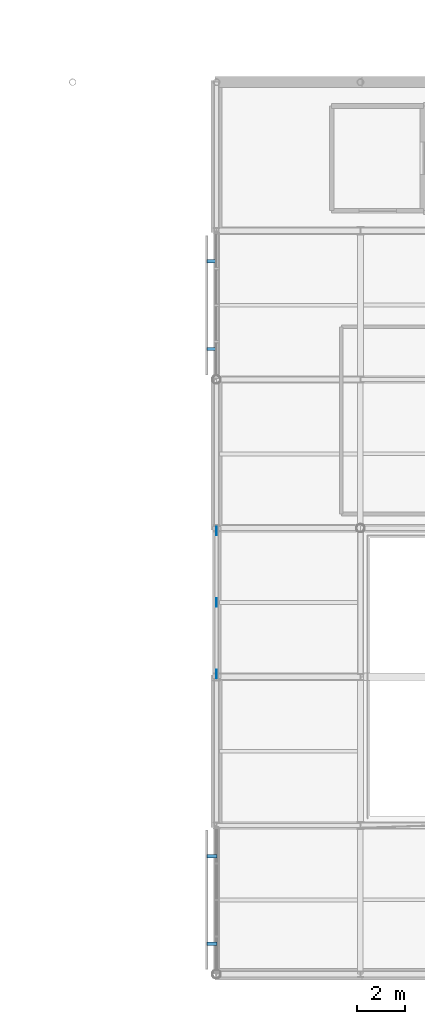
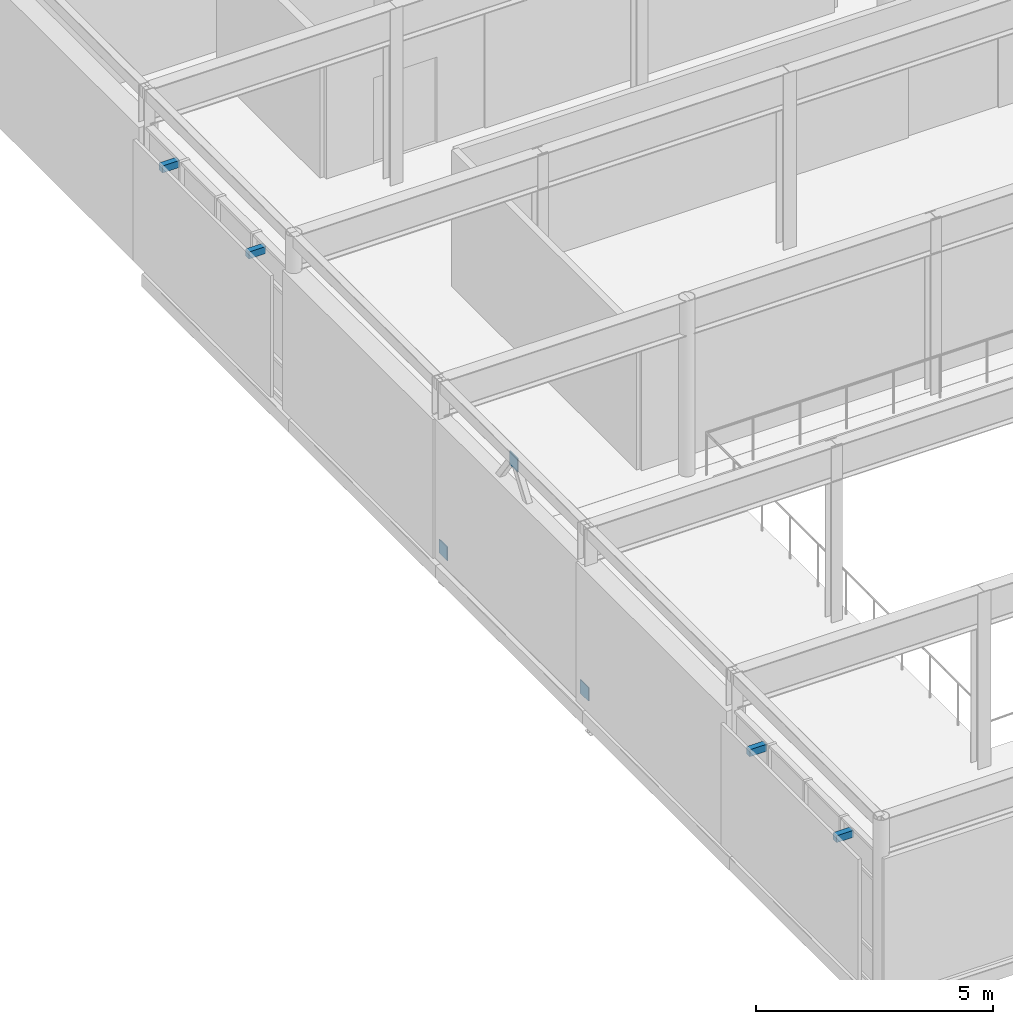
# One storey, part 70 of 84: 7 discrete accessories.
"""IFC4 building model written with IfcOpenShell, lengths in metres."""

from ifc_helpers import new_model, si_unit, direction, frame, origin, origin_2d, place, context, subcontext, project, spatial, rectangle, extrude, material, type_object, element, save


model = new_model("IFC4")

# Units and contexts
model_context = context("Model", 3, precision=1e-05, world=origin(), true_north=direction((0.0, 1.0)))
body_context = subcontext(model_context, "Body", "Model", "MODEL_VIEW")
ifc_project = project(units=[si_unit("LENGTHUNIT", "METRE"), si_unit("AREAUNIT", "SQUARE_METRE"), si_unit("VOLUMEUNIT", "CUBIC_METRE"), si_unit("PLANEANGLEUNIT", "RADIAN"), si_unit("MASSUNIT", "GRAM", prefix="KILO")], contexts=[model_context])

# Site, building, storey
site_placement = place(None, origin())
site = spatial("IfcSite", under=ifc_project, at=site_placement, CompositionType="ELEMENT")
building_placement = place(site_placement, origin())
building = spatial("IfcBuilding", under=site, at=building_placement, Name="Mirzam Square Science Centre", CompositionType="ELEMENT")
storey_placement = place(building_placement, frame((0.0, 0.0, 10.800048828125)))
storey = spatial("IfcBuildingStorey", under=building, at=storey_placement, Name="L02", CompositionType="ELEMENT", Elevation=10.800048828125)

# Discrete accessories
ifc_material = material(Name="Steel S355", Category="steel")
discrete_accessory_type_1 = type_object("IfcDiscreteAccessoryType", Name="BK-BRACE-GUSSET", PredefinedType="BRACKET", material=ifc_material)
for number, where, z_axis, x_axis, name in (
    (1, (132.0, 12.52001953125, -0.005126953125), (0.0, 0.0, 1.0), (0.0, 1.0, 0.0), "L02 brace gusset plate 6A"),
    (2, (132.0, 18.47998046875, -0.005126953125), (0.0, 0.0, 1.0), (0.0, 1.0, 0.0), "L02 brace gusset plate 6B"),
    (3, (132.0, 15.5, 4.0849609375), (0.0, 0.0, 1.0), (0.0, 1.0, 0.0), "L02 brace apex gusset plate 6"),
):
    element("IfcDiscreteAccessory", number, at=place(storey_placement, frame(where, z_axis=z_axis, x_axis=x_axis)), inside=storey, type_object=discrete_accessory_type_1, Name=name, PredefinedType="BRACKET", context=body_context, shape_type="SweptSolid", body=[
        extrude(rectangle(XDim=0.35009765625, YDim=0.02490234375, at=origin_2d()), origin(), (0.0, 0.0, 1.0), 0.35009765625),
    ])
discrete_accessory_type_2 = type_object("IfcDiscreteAccessoryType", Name="BRK-BRISE-STEEL", PredefinedType="BRACKET", material=ifc_material)
for number, where, z_axis, x_axis, name in (
    (4, (131.81005859375, 4.927001953125, 3.23974609375), (0.0, 0.0, 1.0), (0.0, -1.0, 0.0), "L02 brise-soleil support bracket 52"),
    (5, (131.81005859375, 1.27294921875, 3.23974609375), (0.0, 0.0, 1.0), (0.0, -1.0, 0.0), "L02 brise-soleil support bracket 52"),
    (6, (131.81005859375, 29.72705078125, 3.23974609375), (0.0, 0.0, 1.0), (0.0, -1.0, 0.0), "L02 brise-soleil support bracket 53"),
    (7, (131.81005859375, 26.072998046875, 3.23974609375), (0.0, 0.0, 1.0), (0.0, -1.0, 0.0), "L02 brise-soleil support bracket 53"),
):
    element("IfcDiscreteAccessory", number, at=place(storey_placement, frame(where, z_axis=z_axis, x_axis=x_axis)), inside=storey, type_object=discrete_accessory_type_2, Name=name, PredefinedType="BRACKET", context=body_context, shape_type="SweptSolid", body=[
        extrude(rectangle(XDim=0.139892578125, YDim=0.419921875, at=origin_2d()), origin(), (0.0, 0.0, 1.0), 0.179931640625),
    ])

save(model, "model.ifc")
